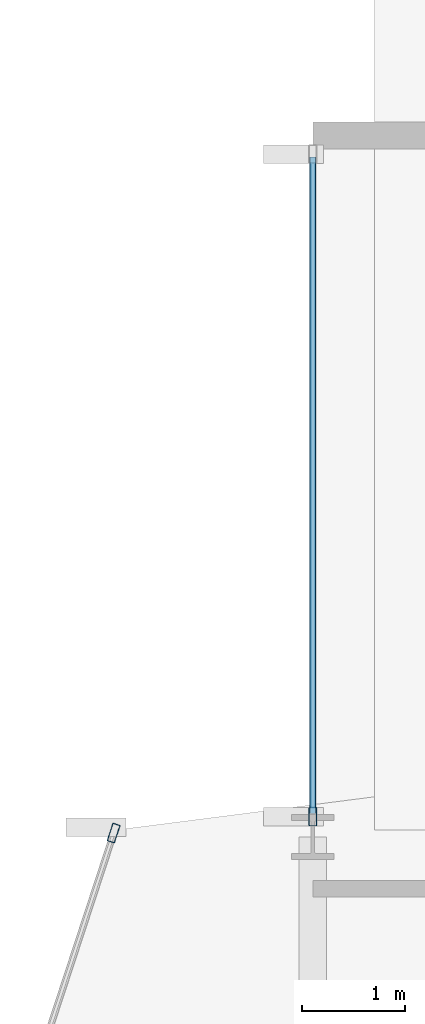
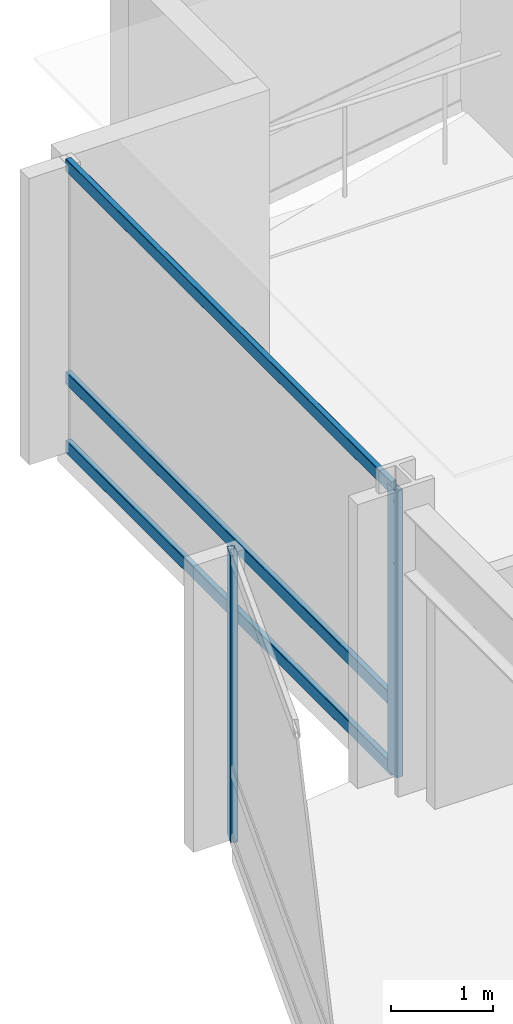
# One storey, part 16 of 29: 5 members, 2 elements without a shape of their own.
"""IFC4 building model written with IfcOpenShell, lengths in metres."""

from ifc_helpers import new_model, si_unit, direction, frame, origin, origin_2d, place, context, subcontext, project, spatial, hollow_rectangle, extrude, material, layer, layer_set, material_profile, profile_set, type_object, element, aggregate, save


model = new_model("IFC4")

# Units and contexts
model_context = context("Model", 3, precision=1e-05, world=origin(), true_north=direction((0.0, 1.0)))
body_context = subcontext(model_context, "Body", "Model", "MODEL_VIEW")
ifc_project = project(units=[si_unit("LENGTHUNIT", "METRE"), si_unit("AREAUNIT", "SQUARE_METRE"), si_unit("VOLUMEUNIT", "CUBIC_METRE"), si_unit("PLANEANGLEUNIT", "RADIAN"), si_unit("MASSUNIT", "GRAM", prefix="KILO")], contexts=[model_context])

# Site, building, storey
site_placement = place(None, origin())
site = spatial("IfcSite", under=ifc_project, at=site_placement, CompositionType="ELEMENT")
building_placement = place(site_placement, origin())
building = spatial("IfcBuilding", under=site, at=building_placement, Name="Solvaryn Broadcast Tower", CompositionType="ELEMENT")
storey_placement = place(building_placement, frame((0.0, 0.0, 161.800048828125)))
storey = spatial("IfcBuildingStorey", under=building, at=storey_placement, Name="L40", CompositionType="ELEMENT", Elevation=161.800048828125)

# Curtain wall, member
ifc_material_1 = material(Name="Aluminium and Terracotta Unitised Curtain Wall", Category="masonry")
ifc_layer = layer(ifc_material_1, 0.199951171875)
ifc_layer_set = layer_set([ifc_layer], Name="CW-SYS2-LOWMID")
curtain_wall_type = type_object("IfcCurtainWallType", Name="CW-SYS2-LOWMID", PredefinedType="NOTDEFINED", material=ifc_layer_set)
curtain_wall_1_placement = place(storey_placement, origin())
curtain_wall_1 = element("IfcCurtainWall", 1, at=curtain_wall_1_placement, inside=storey, type_object=curtain_wall_type, Name="L40 Curtain Wall DR1", PredefinedType="NOTDEFINED")
ifc_material_2 = material(Name="Anodised Aluminium 6063-T6", Category="aluminium")
ifc_material_profile_1 = material_profile(ifc_material_2, hollow_rectangle(XDim=0.074951171875, YDim=0.179931640625, WallThickness=0.00390625, InnerFilletRadius=0.00390625, OuterFilletRadius=0.008056640625, at=origin_2d()))
ifc_profile_set_1 = profile_set([ifc_material_profile_1], Name="Anodised Aluminium 6063-T6")
member_type_1 = type_object("IfcMemberType", Name="CW-MUL-180", PredefinedType="MULLION", material=ifc_profile_set_1)
member_1_placement = place(storey_placement, frame((7.069580078125, 45.03857421875, 0.0), z_axis=(0.0, 0.0, 1.0), x_axis=(0.950198260794, -0.311646057547, 0.0)))
member_1 = element("IfcMember", 2, at=member_1_placement, type_object=member_type_1, Name="CWS2 mullion 1", PredefinedType="MULLION", context=body_context, shape_type="SweptSolid", body=[
    extrude(hollow_rectangle(XDim=0.074951171875, YDim=0.179931640625, WallThickness=0.00390625, InnerFilletRadius=0.00390625, OuterFilletRadius=0.008056640625, at=origin_2d()), origin(), (0.0, 0.0, 1.0), 3.419921875),
])
aggregate(curtain_wall_1, [member_1])

# Curtain wall, members
curtain_wall_2_placement = place(storey_placement, origin())
curtain_wall_2 = element("IfcCurtainWall", 3, at=curtain_wall_2_placement, inside=storey, type_object=curtain_wall_type, Name="L40 Curtain Wall W2", PredefinedType="NOTDEFINED")
member_2_placement = place(storey_placement, frame((9.0, 45.197021484375, 0.0), z_axis=(0.0, 0.0, 1.0), x_axis=(-1.0, 0.0, 0.0)))
member_2 = element("IfcMember", 4, at=member_2_placement, type_object=member_type_1, Name="CWS2 mullion 1", PredefinedType="MULLION", context=body_context, shape_type="SweptSolid", body=[
    extrude(hollow_rectangle(XDim=0.074951171875, YDim=0.179931640625, WallThickness=0.00390625, InnerFilletRadius=0.00390625, OuterFilletRadius=0.008056640625, at=origin_2d()), origin(), (0.0, 0.0, 1.0), 3.419921875),
])
ifc_material_3 = material(Name="Anodised Aluminium 6063-T6", Category="aluminium")
ifc_material_profile_2 = material_profile(ifc_material_3, hollow_rectangle(XDim=0.06494140625, YDim=0.14990234375, WallThickness=0.00390625, InnerFilletRadius=0.00390625, OuterFilletRadius=0.008056640625, at=origin_2d()))
ifc_profile_set_2 = profile_set([ifc_material_profile_2], Name="Anodised Aluminium 6063-T6")
member_type_2 = type_object("IfcMemberType", Name="CW-TRN-150", PredefinedType="USERDEFINED", material=ifc_profile_set_2)
member_3_placement = place(storey_placement, frame((9.0, 45.22705078125, 0.030029296875), z_axis=(0.0, 1.0, 0.0), x_axis=(-1.0, 0.0, 0.0)))
member_3 = element("IfcMember", 5, at=member_3_placement, type_object=member_type_2, Name="CWS2 transom 1.1", ObjectType="TRANSOM", PredefinedType="USERDEFINED", context=body_context, shape_type="SweptSolid", body=[
    extrude(hollow_rectangle(XDim=0.06494140625, YDim=0.14990234375, WallThickness=0.00390625, InnerFilletRadius=0.00390625, OuterFilletRadius=0.008056640625, at=origin_2d()), origin(), (0.0, 0.0, 1.0), 6.363037109375),
])
member_4_placement = place(storey_placement, frame((9.0, 45.22705078125, 0.849853515625), z_axis=(0.0, 1.0, 0.0), x_axis=(-1.0, 0.0, 0.0)))
member_4 = element("IfcMember", 6, at=member_4_placement, type_object=member_type_2, Name="CWS2 transom 1.2", ObjectType="TRANSOM", PredefinedType="USERDEFINED", context=body_context, shape_type="SweptSolid", body=[
    extrude(hollow_rectangle(XDim=0.06494140625, YDim=0.14990234375, WallThickness=0.00390625, InnerFilletRadius=0.00390625, OuterFilletRadius=0.008056640625, at=origin_2d()), origin(), (0.0, 0.0, 1.0), 6.363037109375),
])
member_5_placement = place(storey_placement, frame((9.0, 45.22705078125, 3.389892578125), z_axis=(0.0, 1.0, 0.0), x_axis=(-1.0, 0.0, 0.0)))
member_5 = element("IfcMember", 7, at=member_5_placement, type_object=member_type_2, Name="CWS2 transom 1.3", ObjectType="TRANSOM", PredefinedType="USERDEFINED", context=body_context, shape_type="SweptSolid", body=[
    extrude(hollow_rectangle(XDim=0.06494140625, YDim=0.14990234375, WallThickness=0.00390625, InnerFilletRadius=0.00390625, OuterFilletRadius=0.008056640625, at=origin_2d()), origin(), (0.0, 0.0, 1.0), 6.363037109375),
])
aggregate(curtain_wall_2, [member_2, member_3, member_4, member_5])

save(model, "model.ifc")
